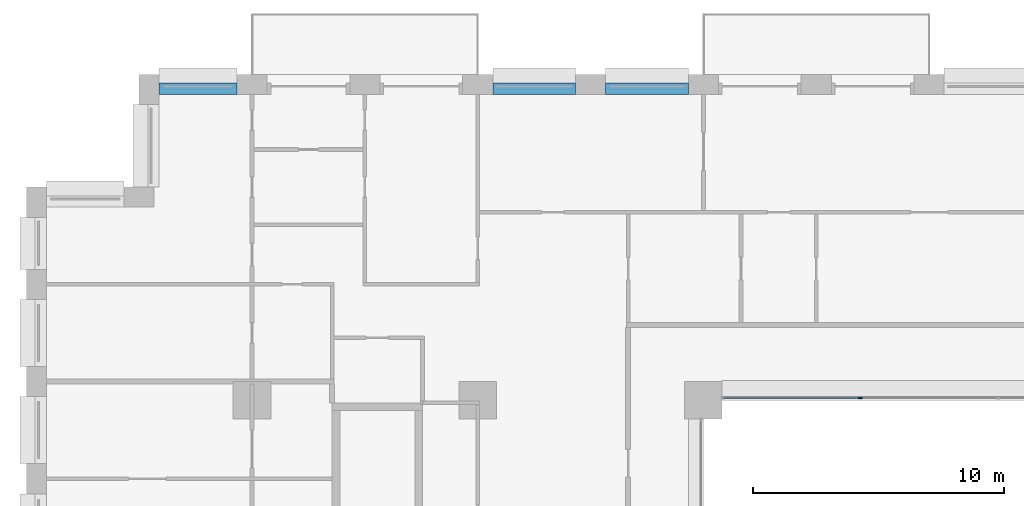
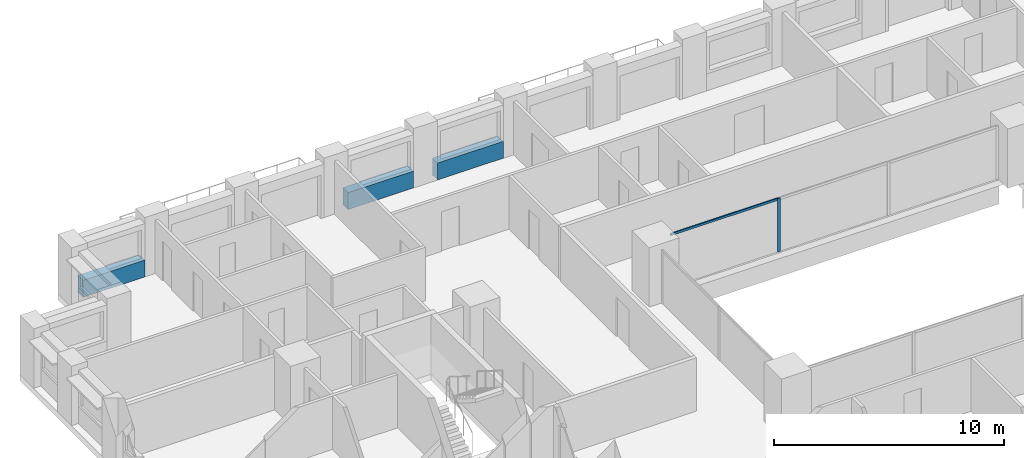
# One storey, part 6 of 19: 3 beams, 2 members, 1 element without a shape of its own.
"""IFC4 building model written with IfcOpenShell, lengths in metres."""

from ifc_helpers import new_model, si_unit, direction, frame, origin, origin_2d, place, context, subcontext, project, spatial, rectangle, extrude, material, layer, layer_set, material_profile, profile_set, type_object, element, aggregate, save


model = new_model("IFC4")

# Units and contexts
model_context = context("Model", 3, precision=1e-05, world=origin(), true_north=direction((0.0, 1.0)))
body_context = subcontext(model_context, "Body", "Model", "MODEL_VIEW")
ifc_project = project(units=[si_unit("LENGTHUNIT", "METRE"), si_unit("AREAUNIT", "SQUARE_METRE"), si_unit("VOLUMEUNIT", "CUBIC_METRE"), si_unit("PLANEANGLEUNIT", "RADIAN"), si_unit("MASSUNIT", "GRAM", prefix="KILO")], contexts=[model_context])

# Site, building, storey
site_placement = place(None, origin())
site = spatial("IfcSite", under=ifc_project, at=site_placement, CompositionType="ELEMENT")
building_placement = place(site_placement, origin())
building = spatial("IfcBuilding", under=site, at=building_placement, Name="Brigalow Station Residences", CompositionType="ELEMENT")
storey_placement = place(building_placement, frame((0.0, 0.0, 35.25)))
storey = spatial("IfcBuildingStorey", under=building, at=storey_placement, Name="L09", CompositionType="ELEMENT", Elevation=35.25)

# Curtain wall, members
ifc_material_1 = material(Name="Aluminium", Category="aluminium")
ifc_layer = layer(ifc_material_1, 0.14990234375)
ifc_layer_set = layer_set([ifc_layer], Name="ATRIUM FIRE-RATED GLAZING CURTAIN WALL")
curtain_wall_type = type_object("IfcCurtainWallType", Name="ATRIUM FIRE-RATED GLAZING CURTAIN WALL", PredefinedType="NOTDEFINED", material=ifc_layer_set)
curtain_wall_placement = place(storey_placement, origin())
curtain_wall = element("IfcCurtainWall", 1, at=curtain_wall_placement, inside=storey, type_object=curtain_wall_type, Name="L09/cw/atrium-N", PredefinedType="NOTDEFINED")
ifc_material_2 = material(Name="Aluminium", Category="aluminium")
ifc_material_profile_1 = material_profile(ifc_material_2, rectangle(XDim=0.06005859375, YDim=0.14990234375, at=origin_2d()), Name="ATRIUM FIRE-RATED GLAZING MULLION 60x150")
ifc_profile_set_1 = profile_set([ifc_material_profile_1], Name="Aluminium")
member_type_1 = type_object("IfcMemberType", Name="ATRIUM FIRE-RATED GLAZING MULLION 60x150", PredefinedType="MULLION", material=ifc_profile_set_1)
member_1_placement = place(storey_placement, frame((33.25, 35.60009765625, 0.0), z_axis=(0.0, 0.0, 1.0), x_axis=(0.0, -1.0, 0.0)))
member_1 = element("IfcMember", 2, at=member_1_placement, type_object=member_type_1, Name="L09/cw/atrium-N/M02", PredefinedType="MULLION", context=body_context, shape_type="SweptSolid", body=[
    extrude(rectangle(XDim=0.06005859375, YDim=0.14990234375, at=origin_2d()), origin(), (0.0, 0.0, 1.0), 2.830078125),
])
ifc_material_3 = material(Name="Aluminium", Category="aluminium")
ifc_material_profile_2 = material_profile(ifc_material_3, rectangle(XDim=0.06005859375, YDim=0.1201171875, at=origin_2d()), Name="ATRIUM FIRE-RATED GLAZING TRANSOM 60x120")
ifc_profile_set_2 = profile_set([ifc_material_profile_2], Name="Aluminium")
member_type_2 = type_object("IfcMemberType", Name="ATRIUM FIRE-RATED GLAZING TRANSOM 60x120", PredefinedType="USERDEFINED", material=ifc_profile_set_2)
member_2_placement = place(storey_placement, frame((33.219970703125, 35.60009765625, 2.800048828125), z_axis=(-1.0, 0.0, 0.0), x_axis=(0.0, -1.0, 0.0)))
member_2 = element("IfcMember", 3, at=member_2_placement, type_object=member_type_2, Name="L09/cw/atrium-N/T02-00", ObjectType="TRANSOM", PredefinedType="USERDEFINED", context=body_context, shape_type="SweptSolid", body=[
    extrude(rectangle(XDim=0.06005859375, YDim=0.1201171875, at=origin_2d()), origin(), (0.0, 0.0, 1.0), 5.409912109375),
])
aggregate(curtain_wall, [member_1, member_2])

# Beams
ifc_material_4 = material(Name="Concrete C65", Category="concrete")
ifc_material_profile_3 = material_profile(ifc_material_4, rectangle(XDim=0.449951171875, YDim=0.89990234375, at=origin_2d()), Name="RC450x900")
ifc_profile_set_3 = profile_set([ifc_material_profile_3], Name="Concrete C65")
beam_type = type_object("IfcBeamType", Name="SPANDREL BEAM 450x900 C65", PredefinedType="SPANDREL", material=ifc_profile_set_3)
for number, where, z_axis, x_axis, name in (
    (4, (26.39990234375, 47.925048828125, 0.449951171875), (-1.0, 0.0, 0.0), (0.0, -1.0, 0.0), "L09/spandrel/W-L09-35"),
    (5, (21.89990234375, 47.925048828125, 0.449951171875), (-1.0, 0.0, 0.0), (0.0, -1.0, 0.0), "L09/spandrel/W-L09-36"),
):
    element("IfcBeam", number, at=place(storey_placement, frame(where, z_axis=z_axis, x_axis=x_axis)), inside=storey, type_object=beam_type, Name=name, PredefinedType="SPANDREL", context=body_context, shape_type="SweptSolid", body=[
        extrude(rectangle(XDim=0.449951171875, YDim=0.89990234375, at=origin_2d()), origin(), (0.0, 0.0, 1.0), 3.2998046875),
    ])
beam_placement = place(storey_placement, frame((8.39990234375, 47.925048828125, 0.449951171875), z_axis=(-1.0, 0.0, 0.0), x_axis=(0.0, -1.0, 0.0)))
element("IfcBeam", 6, at=beam_placement, inside=storey, type_object=beam_type, Name="L09/spandrel/W-L09-39", PredefinedType="SPANDREL", context=body_context, shape_type="SweptSolid", body=[
    extrude(rectangle(XDim=0.449951171875, YDim=0.89990234375, at=origin_2d()), origin(), (0.0, 0.0, 1.0), 3.099853515625),
])

save(model, "model.ifc")
